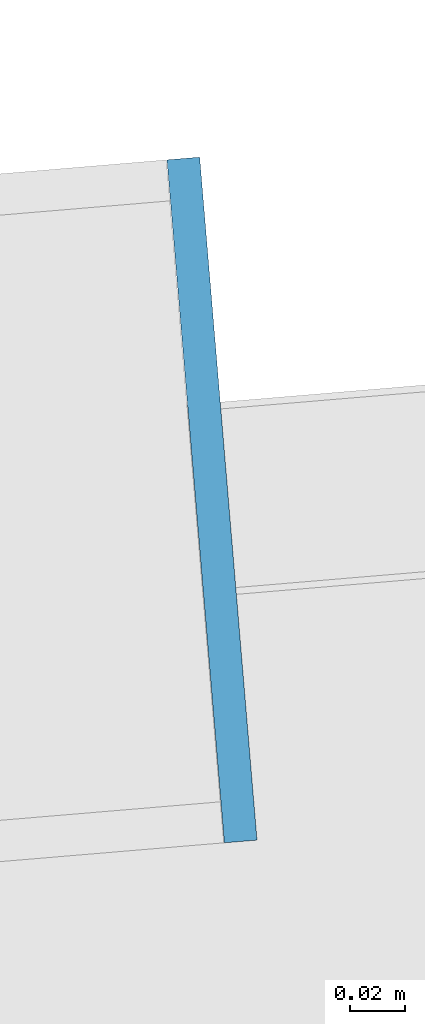
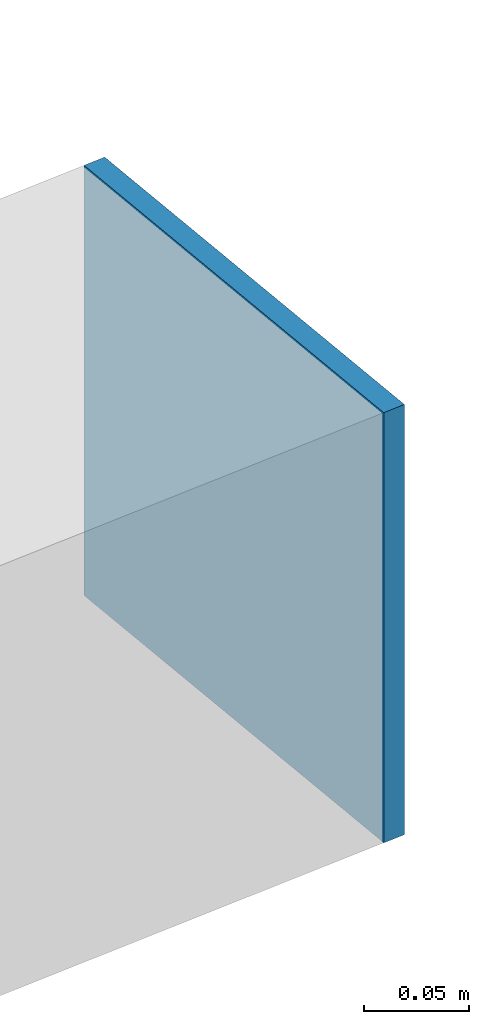
# One storey, part 41 of 46: 1 plate.
"""IFC4 building model written with IfcOpenShell, lengths in metres."""

from ifc_helpers import new_model, si_unit, direction, frame, origin, origin_2d, place, context, subcontext, project, spatial, rectangle, extrude, source, transform, mapped, material, layer, layer_set, type_object, element, save


model = new_model("IFC4")

# Units and contexts
model_context = context("Model", 3, precision=1e-05, world=origin(), true_north=direction((0.0, 1.0)))
body_context = subcontext(model_context, "Body", "Model", "MODEL_VIEW")
ifc_project = project(units=[si_unit("LENGTHUNIT", "METRE"), si_unit("AREAUNIT", "SQUARE_METRE"), si_unit("VOLUMEUNIT", "CUBIC_METRE"), si_unit("PLANEANGLEUNIT", "RADIAN"), si_unit("MASSUNIT", "GRAM", prefix="KILO")], contexts=[model_context])

# Site, building, storey
site_placement = place(None, origin())
site = spatial("IfcSite", under=ifc_project, at=site_placement, CompositionType="ELEMENT")
building_placement = place(site_placement, origin())
building = spatial("IfcBuilding", under=site, at=building_placement, Name="Taldren Reach Tower", CompositionType="ELEMENT")
storey_placement = place(building_placement, frame((0.0, 0.0, 194.60009765625)))
storey = spatial("IfcBuildingStorey", under=building, at=storey_placement, Name="L59", CompositionType="ELEMENT", Elevation=194.60009765625)

# Plate
ifc_material = material(Name="Steel Gr 350 (C350L0)", Category="steel")
ifc_layer = layer(ifc_material, 0.011962890625)
ifc_layer_set = layer_set([ifc_layer], Name="Steel Gr 350 (C350L0)")
plate_type = type_object("IfcPlateType", Name="PL-CAP-250", PredefinedType="SHEET", material=ifc_layer_set)
shared_shape = source(origin(), body_context, "Body", "SweptSolid", [
    extrude(rectangle(XDim=0.011962890625, YDim=0.25, at=origin_2d()), origin(), (0.0, 0.0, 1.0), 0.25),
])
plate_placement = place(storey_placement, frame((61.14697265625, 33.76220703125, 0.094970703125), z_axis=(0.0, 0.0, 1.0), x_axis=(0.99649285925, 0.083677843332, 0.0)))
element("IfcPlate", 1, at=plate_placement, inside=storey, type_object=plate_type, Name="Tie strut end cap plate B4-E3 L59", PredefinedType="SHEET", context=body_context, shape_type="MappedRepresentation", body=[
    mapped(shared_shape, transform((0.0, 0.0, 0.0), scale=1.0)),
])

save(model, "model.ifc")
